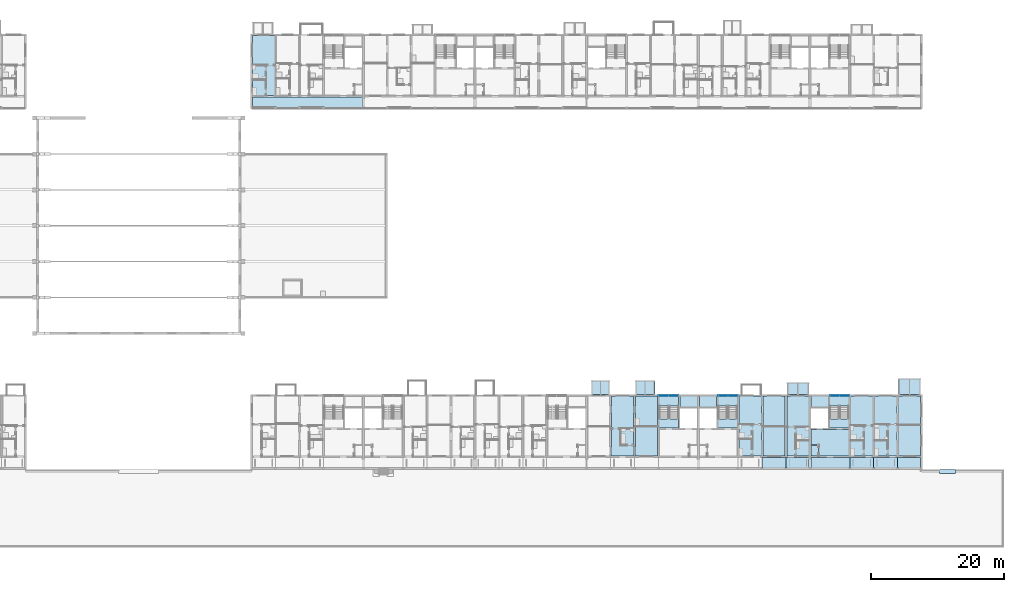
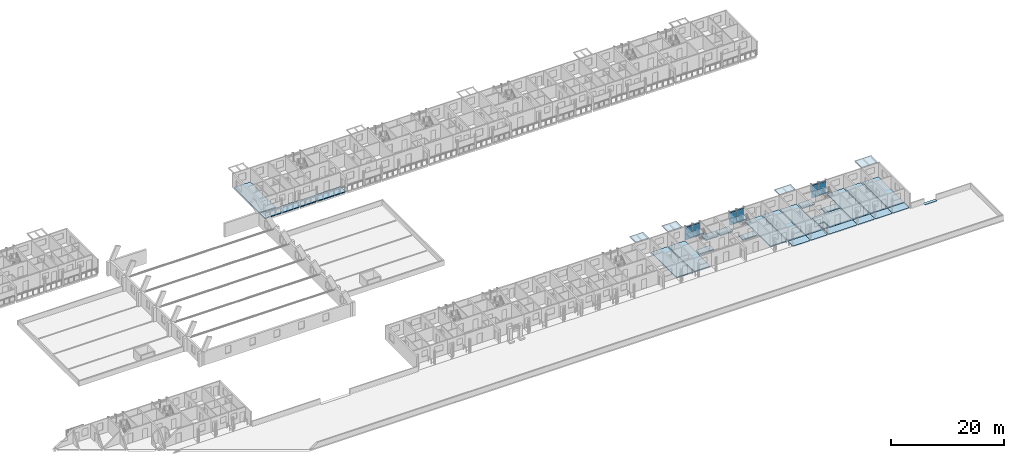
# One storey, part 37 of 115: 32 slabs, 12 plates, 6 elements without a shape of their own.
"""IFC4 building model written with IfcOpenShell, lengths in metres."""

from ifc_helpers import new_model, si_unit, direction, frame, origin, origin_2d, place, context, subcontext, project, spatial, polyline, rectangle, outline, extrude, material, layer, layer_set, type_object, element, aggregate, save


model = new_model("IFC4")

# Units and contexts
model_context = context("Model", 3, precision=1e-05, world=origin(), true_north=direction((0.0, 1.0)))
body_context = subcontext(model_context, "Body", "Model", "MODEL_VIEW")
ifc_project = project(units=[si_unit("LENGTHUNIT", "METRE"), si_unit("AREAUNIT", "SQUARE_METRE"), si_unit("VOLUMEUNIT", "CUBIC_METRE"), si_unit("PLANEANGLEUNIT", "RADIAN"), si_unit("MASSUNIT", "GRAM", prefix="KILO")], contexts=[model_context])

# Site, building, storey
site_placement = place(None, origin())
site = spatial("IfcSite", under=ifc_project, at=site_placement, CompositionType="ELEMENT")
building_placement = place(site_placement, origin())
building = spatial("IfcBuilding", under=site, at=building_placement, Name="Ridgestep Commons", CompositionType="ELEMENT")
storey_placement = place(building_placement, frame((0.0, 0.0, 6.0)))
storey = spatial("IfcBuildingStorey", under=building, at=storey_placement, Name="L02", CompositionType="ELEMENT", Elevation=6.0)

# Slabs
ifc_material_1 = material(Name="Concrete C30/37", Category="concrete")
ifc_layer_1 = layer(ifc_material_1, 0.199951171875)
ifc_layer_set_1 = layer_set([ifc_layer_1], Name="Community stair landing slab 200")
slab_type_1 = type_object("IfcSlabType", Name="Community stair landing slab 200", PredefinedType="LANDING", material=ifc_layer_set_1)
slab_1_placement = place(storey_placement, frame((0.0, 0.0, -0.199951171875)))
element("IfcSlab", 1, at=slab_1_placement, inside=storey, type_object=slab_type_1, Name="Arrival landing", PredefinedType="LANDING", context=body_context, shape_type="SweptSolid", body=[
    extrude(outline(polyline([(250.300048828125, 11.14990234375), (252.699951171875, 11.14990234375), (252.699951171875, 11.75), (250.300048828125, 11.75), (250.300048828125, 11.14990234375)])), origin(), (0.0, 0.0, 1.0), 0.199951171875),
])
ifc_material_2 = material(Name="Precast concrete C40/50", Category="concrete")
ifc_layer_2 = layer(ifc_material_2, 0.199951171875)
ifc_layer_set_2 = layer_set([ifc_layer_2], Name="Gallery slab 200")
slab_type_2 = type_object("IfcSlabType", Name="Gallery slab 200", PredefinedType="FLOOR", material=ifc_layer_set_2)
slab_2_placement = place(storey_placement, frame((0.0, 0.0, -0.199951171875)))
element("IfcSlab", 2, at=slab_2_placement, inside=storey, type_object=slab_type_2, Name="Gallery slab C1 L02", PredefinedType="FLOOR", context=body_context, shape_type="SweptSolid", body=[
    extrude(outline(polyline([(163.449951171875, 67.800048828125), (146.949951171875, 67.800048828125), (146.949951171875, 66.0), (150.27490234375, 66.0), (150.27490234375, 66.25), (150.52490234375, 66.25), (150.52490234375, 66.0), (153.875, 66.0), (153.875, 66.25), (154.125, 66.25), (154.125, 66.0), (157.47509765625, 66.0), (157.47509765625, 66.25), (157.72509765625, 66.25), (157.72509765625, 66.0), (163.449951171875, 66.0), (163.449951171875, 67.800048828125)])), origin(), (0.0, 0.0, 1.0), 0.199951171875),
])
slab_3_placement = place(storey_placement, frame((0.0, 0.0, -0.199951171875)))
element("IfcSlab", 3, at=slab_3_placement, inside=storey, type_object=slab_type_2, Name="Gallery slab D5 L02", PredefinedType="FLOOR", context=body_context, shape_type="SweptSolid", body=[
    extrude(outline(polyline([(227.199951171875, 13.550048828125), (223.60009765625, 13.550048828125), (223.60009765625, 12.0), (223.72509765625, 12.0), (223.72509765625, 11.75), (227.074951171875, 11.75), (227.074951171875, 12.0), (227.199951171875, 12.0), (227.199951171875, 13.550048828125)])), origin(), (0.0, 0.0, 1.0), 0.199951171875),
])
slab_4_placement = place(storey_placement, frame((0.0, 0.0, -0.199951171875)))
element("IfcSlab", 4, at=slab_4_placement, inside=storey, type_object=slab_type_2, Name="Gallery slab D5 L02", PredefinedType="FLOOR", context=body_context, shape_type="SweptSolid", body=[
    extrude(outline(polyline([(227.199951171875, 13.550048828125), (227.199951171875, 12.0), (227.324951171875, 12.0), (227.324951171875, 11.75), (230.64990234375, 11.75), (230.64990234375, 13.550048828125), (227.199951171875, 13.550048828125)])), origin(), (0.0, 0.0, 1.0), 0.199951171875),
])
slab_5_placement = place(storey_placement, frame((0.0, 0.0, -0.199951171875)))
element("IfcSlab", 5, at=slab_5_placement, inside=storey, type_object=slab_type_2, Name="Gallery slab D6 L02", PredefinedType="FLOOR", context=body_context, shape_type="SweptSolid", body=[
    extrude(outline(polyline([(230.949951171875, 11.75), (236.675048828125, 11.75), (236.675048828125, 12.0), (236.800048828125, 12.0), (236.800048828125, 13.550048828125), (230.949951171875, 13.550048828125), (230.949951171875, 11.75)])), origin(), (0.0, 0.0, 1.0), 0.199951171875),
])
slab_6_placement = place(storey_placement, frame((0.0, 0.0, -0.199951171875)))
element("IfcSlab", 6, at=slab_6_placement, inside=storey, type_object=slab_type_2, Name="Gallery slab D6 L02", PredefinedType="FLOOR", context=body_context, shape_type="SweptSolid", body=[
    extrude(outline(polyline([(240.39990234375, 13.550048828125), (236.800048828125, 13.550048828125), (236.800048828125, 12.0), (236.925048828125, 12.0), (236.925048828125, 11.75), (240.27490234375, 11.75), (240.27490234375, 12.0), (240.39990234375, 12.0), (240.39990234375, 13.550048828125)])), origin(), (0.0, 0.0, 1.0), 0.199951171875),
])
slab_7_placement = place(storey_placement, frame((0.0, 0.0, -0.199951171875)))
element("IfcSlab", 7, at=slab_7_placement, inside=storey, type_object=slab_type_2, Name="Gallery slab D6 L02", PredefinedType="FLOOR", context=body_context, shape_type="SweptSolid", body=[
    extrude(outline(polyline([(244.0, 13.550048828125), (240.39990234375, 13.550048828125), (240.39990234375, 12.0), (240.52490234375, 12.0), (240.52490234375, 11.75), (243.875, 11.75), (243.875, 12.0), (244.0, 12.0), (244.0, 13.550048828125)])), origin(), (0.0, 0.0, 1.0), 0.199951171875),
])
slab_8_placement = place(storey_placement, frame((0.0, 0.0, -0.199951171875)))
element("IfcSlab", 8, at=slab_8_placement, inside=storey, type_object=slab_type_2, Name="Gallery slab D6 L02", PredefinedType="FLOOR", context=body_context, shape_type="SweptSolid", body=[
    extrude(outline(polyline([(244.0, 13.550048828125), (244.0, 12.0), (244.125, 12.0), (244.125, 11.75), (247.449951171875, 11.75), (247.449951171875, 13.550048828125), (244.0, 13.550048828125)])), origin(), (0.0, 0.0, 1.0), 0.199951171875),
])

# Curtain wall, plates
ifc_material_3 = material(Name="Aluminium 6063-T6 and glass", Category="aluminium")
curtain_wall_type = type_object("IfcCurtainWallType", Name="Curtain wall stair strip", PredefinedType="NOTDEFINED", material=ifc_material_3)
curtain_wall_1_placement = place(storey_placement, origin())
curtain_wall_1 = element("IfcCurtainWall", 9, at=curtain_wall_1_placement, inside=storey, type_object=curtain_wall_type, Name="Curtain wall D4C level 02", PredefinedType="NOTDEFINED")
ifc_material_4 = material(Name="Glass laminated 6/16/6 low-emissivity", Category="glass")
ifc_layer_3 = layer(ifc_material_4, 0.028076171875)
ifc_layer_set_3 = layer_set([ifc_layer_3], Name="Glazing panel 28")
plate_type_1 = type_object("IfcPlateType", Name="Glazing panel 28", PredefinedType="CURTAIN_PANEL", material=ifc_layer_set_3)
plate_1_placement = place(storey_placement, frame((208.771240234375, 22.830078125, 0.06005859375), z_axis=(0.0, 0.0, 1.0), x_axis=(1.0, 0.0, 0.0)))
plate_1 = element("IfcPlate", 10, at=plate_1_placement, type_object=plate_type_1, Name="CW1 panel 1.1", PredefinedType="CURTAIN_PANEL", context=body_context, shape_type="SweptSolid", body=[
    extrude(rectangle(XDim=1.422607421875, YDim=0.028076171875, at=origin_2d()), origin(), (0.0, 0.0, 1.0), 2.5),
])
plate_2_placement = place(storey_placement, frame((210.253662109375, 22.830078125, 0.06005859375), z_axis=(0.0, 0.0, 1.0), x_axis=(1.0, 0.0, 0.0)))
plate_2 = element("IfcPlate", 11, at=plate_2_placement, type_object=plate_type_1, Name="CW1 panel 2.1", PredefinedType="CURTAIN_PANEL", context=body_context, shape_type="SweptSolid", body=[
    extrude(rectangle(XDim=1.422607421875, YDim=0.028076171875, at=origin_2d()), origin(), (0.0, 0.0, 1.0), 2.5),
])

curtain_wall_2_placement = place(storey_placement, origin())
curtain_wall_2 = element("IfcCurtainWall", 12, at=curtain_wall_2_placement, inside=storey, type_object=curtain_wall_type, Name="Curtain wall D5C level 02", PredefinedType="NOTDEFINED")
plate_3_placement = place(storey_placement, frame((217.746337890625, 22.830078125, 0.06005859375), z_axis=(0.0, 0.0, 1.0), x_axis=(1.0, 0.0, 0.0)))
plate_3 = element("IfcPlate", 13, at=plate_3_placement, type_object=plate_type_1, Name="CW1 panel 1.1", PredefinedType="CURTAIN_PANEL", context=body_context, shape_type="SweptSolid", body=[
    extrude(rectangle(XDim=1.422607421875, YDim=0.028076171875, at=origin_2d()), origin(), (0.0, 0.0, 1.0), 2.5),
])
plate_4_placement = place(storey_placement, frame((219.228759765625, 22.830078125, 0.06005859375), z_axis=(0.0, 0.0, 1.0), x_axis=(1.0, 0.0, 0.0)))
plate_4 = element("IfcPlate", 14, at=plate_4_placement, type_object=plate_type_1, Name="CW1 panel 2.1", PredefinedType="CURTAIN_PANEL", context=body_context, shape_type="SweptSolid", body=[
    extrude(rectangle(XDim=1.422607421875, YDim=0.028076171875, at=origin_2d()), origin(), (0.0, 0.0, 1.0), 2.5),
])

curtain_wall_3_placement = place(storey_placement, origin())
curtain_wall_3 = element("IfcCurtainWall", 15, at=curtain_wall_3_placement, inside=storey, type_object=curtain_wall_type, Name="Curtain wall D6C level 02", PredefinedType="NOTDEFINED")
plate_5_placement = place(storey_placement, frame((234.546142578125, 22.830078125, 0.06005859375), z_axis=(0.0, 0.0, 1.0), x_axis=(1.0, 0.0, 0.0)))
plate_5 = element("IfcPlate", 16, at=plate_5_placement, type_object=plate_type_1, Name="CW1 panel 1.1", PredefinedType="CURTAIN_PANEL", context=body_context, shape_type="SweptSolid", body=[
    extrude(rectangle(XDim=1.422607421875, YDim=0.028076171875, at=origin_2d()), origin(), (0.0, 0.0, 1.0), 2.5),
])
plate_6_placement = place(storey_placement, frame((236.02880859375, 22.830078125, 0.06005859375), z_axis=(0.0, 0.0, 1.0), x_axis=(1.0, 0.0, 0.0)))
plate_6 = element("IfcPlate", 17, at=plate_6_placement, type_object=plate_type_1, Name="CW1 panel 2.1", PredefinedType="CURTAIN_PANEL", context=body_context, shape_type="SweptSolid", body=[
    extrude(rectangle(XDim=1.422607421875, YDim=0.028076171875, at=origin_2d()), origin(), (0.0, 0.0, 1.0), 2.5),
])

# Slabs
ifc_material_5 = material(Name="Precast concrete C50/60", Category="concrete")
ifc_layer_4 = layer(ifc_material_5, 0.199951171875)
ifc_layer_set_4 = layer_set([ifc_layer_4], Name="Hollow-core plank 200")
slab_type_3 = type_object("IfcSlabType", Name="Hollow-core plank 200", PredefinedType="FLOOR", material=ifc_layer_set_4)
slab_9_placement = place(storey_placement, frame((0.0, 0.0, -0.199951171875)))
element("IfcSlab", 18, at=slab_9_placement, inside=storey, type_object=slab_type_3, Name="Floor plank C1T1 L02", PredefinedType="FLOOR", context=body_context, shape_type="SweptSolid", body=[
    extrude(outline(polyline([(150.300048828125, 68.0), (150.300048828125, 77.0), (146.949951171875, 77.0), (146.949951171875, 68.0), (150.300048828125, 68.0)])), origin(), (0.0, 0.0, 1.0), 0.199951171875),
])
slab_10_placement = place(storey_placement, frame((0.0, 0.0, -0.199951171875)))
element("IfcSlab", 19, at=slab_10_placement, inside=storey, type_object=slab_type_3, Name="Floor plank D4T2 L02", PredefinedType="FLOOR", context=body_context, shape_type="SweptSolid", body=[
    extrude(outline(polyline([(204.27490234375, 13.75), (204.27490234375, 22.75), (200.925048828125, 22.75), (200.925048828125, 13.75), (204.27490234375, 13.75)])), origin(), (0.0, 0.0, 1.0), 0.199951171875),
])
slab_11_placement = place(storey_placement, frame((0.0, 0.0, -0.199951171875)))
element("IfcSlab", 20, at=slab_11_placement, inside=storey, type_object=slab_type_3, Name="Floor plank D4T3 L02", PredefinedType="FLOOR", context=body_context, shape_type="SweptSolid", body=[
    extrude(outline(polyline([(207.875, 13.75), (207.875, 22.75), (204.52490234375, 22.75), (204.52490234375, 13.75), (207.875, 13.75)])), origin(), (0.0, 0.0, 1.0), 0.199951171875),
])
slab_12_placement = place(storey_placement, frame((0.0, 0.0, -0.199951171875)))
element("IfcSlab", 21, at=slab_12_placement, inside=storey, type_object=slab_type_3, Name="Floor plank D5T3 L02", PredefinedType="FLOOR", context=body_context, shape_type="SweptSolid", body=[
    extrude(outline(polyline([(223.47509765625, 13.75), (223.47509765625, 22.75), (220.125, 22.75), (220.125, 13.75), (223.47509765625, 13.75)])), origin(), (0.0, 0.0, 1.0), 0.199951171875),
])
slab_13_placement = place(storey_placement, frame((0.0, 0.0, -0.199951171875)))
element("IfcSlab", 22, at=slab_13_placement, inside=storey, type_object=slab_type_3, Name="Floor plank D5T2 L02", PredefinedType="FLOOR", context=body_context, shape_type="SweptSolid", body=[
    extrude(outline(polyline([(227.074951171875, 13.75), (227.074951171875, 22.75), (223.72509765625, 22.75), (223.72509765625, 13.75), (227.074951171875, 13.75)])), origin(), (0.0, 0.0, 1.0), 0.199951171875),
])
slab_14_placement = place(storey_placement, frame((0.0, 0.0, -0.199951171875)))
element("IfcSlab", 23, at=slab_14_placement, inside=storey, type_object=slab_type_3, Name="Floor plank D5T1 L02", PredefinedType="FLOOR", context=body_context, shape_type="SweptSolid", body=[
    extrude(outline(polyline([(230.64990234375, 13.75), (230.64990234375, 22.75), (227.324951171875, 22.75), (227.324951171875, 13.75), (230.64990234375, 13.75)])), origin(), (0.0, 0.0, 1.0), 0.199951171875),
])
slab_15_placement = place(storey_placement, frame((0.0, 0.0, -0.199951171875)))
element("IfcSlab", 24, at=slab_15_placement, inside=storey, type_object=slab_type_3, Name="Floor plank D6T3 L02", PredefinedType="FLOOR", context=body_context, shape_type="SweptSolid", body=[
    extrude(outline(polyline([(240.27490234375, 13.75), (240.27490234375, 22.75), (236.925048828125, 22.75), (236.925048828125, 13.75), (240.27490234375, 13.75)])), origin(), (0.0, 0.0, 1.0), 0.199951171875),
])
slab_16_placement = place(storey_placement, frame((0.0, 0.0, -0.199951171875)))
element("IfcSlab", 25, at=slab_16_placement, inside=storey, type_object=slab_type_3, Name="Floor plank D6T2 L02", PredefinedType="FLOOR", context=body_context, shape_type="SweptSolid", body=[
    extrude(outline(polyline([(243.875, 13.75), (243.875, 22.75), (240.52490234375, 22.75), (240.52490234375, 13.75), (243.875, 13.75)])), origin(), (0.0, 0.0, 1.0), 0.199951171875),
])
slab_17_placement = place(storey_placement, frame((0.0, 0.0, -0.199951171875)))
element("IfcSlab", 26, at=slab_17_placement, inside=storey, type_object=slab_type_3, Name="Floor plank D6T1 L02", PredefinedType="FLOOR", context=body_context, shape_type="SweptSolid", body=[
    extrude(outline(polyline([(247.449951171875, 13.75), (247.449951171875, 22.75), (244.125, 22.75), (244.125, 13.75), (247.449951171875, 13.75)])), origin(), (0.0, 0.0, 1.0), 0.199951171875),
])
ifc_material_6 = material(Name="Precast concrete C50/60", Category="concrete")
ifc_layer_5 = layer(ifc_material_6, 0.25)
ifc_layer_set_5 = layer_set([ifc_layer_5], Name="Hollow-core plank 250")
slab_type_4 = type_object("IfcSlabType", Name="Hollow-core plank 250", PredefinedType="FLOOR", material=ifc_layer_set_5)
slab_18_placement = place(storey_placement, frame((0.0, 0.0, -0.25)))
element("IfcSlab", 27, at=slab_18_placement, inside=storey, type_object=slab_type_4, Name="Floor plank D4C L02", PredefinedType="FLOOR", context=body_context, shape_type="SweptSolid", body=[
    extrude(outline(polyline([(213.85009765625, 21.14990234375), (213.85009765625, 22.75), (211.22509765625, 22.75), (211.22509765625, 21.14990234375), (213.85009765625, 21.14990234375)])), origin(), (0.0, 0.0, 1.0), 0.25),
])
slab_19_placement = place(storey_placement, frame((0.0, 0.0, -0.25)))
element("IfcSlab", 28, at=slab_19_placement, inside=storey, type_object=slab_type_4, Name="Floor plank D4C L02", PredefinedType="FLOOR", context=body_context, shape_type="SweptSolid", body=[
    extrude(outline(polyline([(211.02490234375, 17.949951171875), (211.02490234375, 19.35009765625), (208.125, 19.35009765625), (208.125, 17.949951171875), (211.02490234375, 17.949951171875)])), origin(), (0.0, 0.0, 1.0), 0.25),
])
slab_20_placement = place(storey_placement, frame((0.0, 0.0, -0.25)))
element("IfcSlab", 29, at=slab_20_placement, inside=storey, type_object=slab_type_4, Name="Floor plank D5C L02", PredefinedType="FLOOR", context=body_context, shape_type="SweptSolid", body=[
    extrude(outline(polyline([(216.77490234375, 22.75), (214.14990234375, 22.75), (214.14990234375, 21.14990234375), (216.77490234375, 21.14990234375), (216.77490234375, 22.75)])), origin(), (0.0, 0.0, 1.0), 0.25),
])
slab_21_placement = place(storey_placement, frame((0.0, 0.0, -0.25)))
element("IfcSlab", 30, at=slab_21_placement, inside=storey, type_object=slab_type_4, Name="Floor plank D5C L02", PredefinedType="FLOOR", context=body_context, shape_type="SweptSolid", body=[
    extrude(outline(polyline([(219.875, 17.949951171875), (219.875, 19.35009765625), (216.97509765625, 19.35009765625), (216.97509765625, 17.949951171875), (219.875, 17.949951171875)])), origin(), (0.0, 0.0, 1.0), 0.25),
])
slab_22_placement = place(storey_placement, frame((0.0, 0.0, -0.25)))
element("IfcSlab", 31, at=slab_22_placement, inside=storey, type_object=slab_type_4, Name="Floor plank D6C L02", PredefinedType="FLOOR", context=body_context, shape_type="SweptSolid", body=[
    extrude(outline(polyline([(232.199951171875, 13.75), (236.675048828125, 13.75), (236.675048828125, 17.75), (230.949951171875, 17.75), (230.949951171875, 15.469970703125), (232.080078125, 15.469970703125), (232.199951171875, 15.469970703125), (232.199951171875, 13.75)])), origin(), (0.0, 0.0, 1.0), 0.25),
])
slab_23_placement = place(storey_placement, frame((0.0, 0.0, -0.25)))
element("IfcSlab", 32, at=slab_23_placement, inside=storey, type_object=slab_type_4, Name="Floor plank D6C L02", PredefinedType="FLOOR", context=body_context, shape_type="SweptSolid", body=[
    extrude(outline(polyline([(233.574951171875, 22.75), (230.949951171875, 22.75), (230.949951171875, 21.14990234375), (233.574951171875, 21.14990234375), (233.574951171875, 22.75)])), origin(), (0.0, 0.0, 1.0), 0.25),
])
slab_24_placement = place(storey_placement, frame((0.0, 0.0, -0.25)))
element("IfcSlab", 33, at=slab_24_placement, inside=storey, type_object=slab_type_4, Name="Floor plank D6C L02", PredefinedType="FLOOR", context=body_context, shape_type="SweptSolid", body=[
    extrude(outline(polyline([(236.675048828125, 17.949951171875), (236.675048828125, 19.35009765625), (233.77490234375, 19.35009765625), (233.77490234375, 17.949951171875), (236.675048828125, 17.949951171875)])), origin(), (0.0, 0.0, 1.0), 0.25),
])
slab_25_placement = place(storey_placement, frame((0.0, 0.0, -0.25)))
element("IfcSlab", 34, at=slab_25_placement, inside=storey, type_object=slab_type_4, Name="Floor plank D6C L02", PredefinedType="FLOOR", context=body_context, shape_type="SweptSolid", body=[
    extrude(outline(polyline([(232.080078125, 15.35009765625), (230.949951171875, 15.35009765625), (230.949951171875, 13.75), (232.080078125, 13.75), (232.080078125, 15.35009765625)])), origin(), (0.0, 0.0, 1.0), 0.25),
])

# Plate
ifc_material_7 = material(Name="Aluminium 6063-T6 and mineral wool", Category="aluminium")
ifc_layer_6 = layer(ifc_material_7, 0.0400390625)
ifc_layer_set_6 = layer_set([ifc_layer_6], Name="Spandrel panel 40")
plate_type_2 = type_object("IfcPlateType", Name="Spandrel panel 40", PredefinedType="CURTAIN_PANEL", material=ifc_layer_set_6)
plate_7_placement = place(storey_placement, frame((208.771240234375, 22.830078125, 2.6201171875), z_axis=(0.0, 0.0, 1.0), x_axis=(1.0, 0.0, 0.0)))
plate_7 = element("IfcPlate", 35, at=plate_7_placement, type_object=plate_type_2, Name="CW1 panel 1.2", PredefinedType="CURTAIN_PANEL", context=body_context, shape_type="SweptSolid", body=[
    extrude(rectangle(XDim=1.422607421875, YDim=0.0400390625, at=origin_2d()), origin(), (0.0, 0.0, 1.0), 0.320068359375),
])

plate_8_placement = place(storey_placement, frame((210.253662109375, 22.830078125, 2.6201171875), z_axis=(0.0, 0.0, 1.0), x_axis=(1.0, 0.0, 0.0)))
plate_8 = element("IfcPlate", 36, at=plate_8_placement, type_object=plate_type_2, Name="CW1 panel 2.2", PredefinedType="CURTAIN_PANEL", context=body_context, shape_type="SweptSolid", body=[
    extrude(rectangle(XDim=1.422607421875, YDim=0.0400390625, at=origin_2d()), origin(), (0.0, 0.0, 1.0), 0.320068359375),
])

aggregate(curtain_wall_1, [plate_1, plate_7, plate_2, plate_8])

plate_9_placement = place(storey_placement, frame((217.746337890625, 22.830078125, 2.6201171875), z_axis=(0.0, 0.0, 1.0), x_axis=(1.0, 0.0, 0.0)))
plate_9 = element("IfcPlate", 37, at=plate_9_placement, type_object=plate_type_2, Name="CW1 panel 1.2", PredefinedType="CURTAIN_PANEL", context=body_context, shape_type="SweptSolid", body=[
    extrude(rectangle(XDim=1.422607421875, YDim=0.0400390625, at=origin_2d()), origin(), (0.0, 0.0, 1.0), 0.320068359375),
])

plate_10_placement = place(storey_placement, frame((219.228759765625, 22.830078125, 2.6201171875), z_axis=(0.0, 0.0, 1.0), x_axis=(1.0, 0.0, 0.0)))
plate_10 = element("IfcPlate", 38, at=plate_10_placement, type_object=plate_type_2, Name="CW1 panel 2.2", PredefinedType="CURTAIN_PANEL", context=body_context, shape_type="SweptSolid", body=[
    extrude(rectangle(XDim=1.422607421875, YDim=0.0400390625, at=origin_2d()), origin(), (0.0, 0.0, 1.0), 0.320068359375),
])

aggregate(curtain_wall_2, [plate_3, plate_9, plate_4, plate_10])

plate_11_placement = place(storey_placement, frame((234.546142578125, 22.830078125, 2.6201171875), z_axis=(0.0, 0.0, 1.0), x_axis=(1.0, 0.0, 0.0)))
plate_11 = element("IfcPlate", 39, at=plate_11_placement, type_object=plate_type_2, Name="CW1 panel 1.2", PredefinedType="CURTAIN_PANEL", context=body_context, shape_type="SweptSolid", body=[
    extrude(rectangle(XDim=1.422607421875, YDim=0.0400390625, at=origin_2d()), origin(), (0.0, 0.0, 1.0), 0.320068359375),
])

plate_12_placement = place(storey_placement, frame((236.02880859375, 22.830078125, 2.6201171875), z_axis=(0.0, 0.0, 1.0), x_axis=(1.0, 0.0, 0.0)))
plate_12 = element("IfcPlate", 40, at=plate_12_placement, type_object=plate_type_2, Name="CW1 panel 2.2", PredefinedType="CURTAIN_PANEL", context=body_context, shape_type="SweptSolid", body=[
    extrude(rectangle(XDim=1.422607421875, YDim=0.0400390625, at=origin_2d()), origin(), (0.0, 0.0, 1.0), 0.320068359375),
])

aggregate(curtain_wall_3, [plate_5, plate_11, plate_6, plate_12])

# Stair, slab
ifc_material_8 = material(Name="Precast concrete C40/50", Category="concrete")
stair_type = type_object("IfcStairType", Name="Escape stair 1400", PredefinedType="HALF_TURN_STAIR", material=ifc_material_8)
stair_1_placement = place(storey_placement, origin())
stair_1 = element("IfcStair", 41, at=stair_1_placement, inside=storey, type_object=stair_type, Name="L02 Escape stair D4C", PredefinedType="HALF_TURN_STAIR")
ifc_material_9 = material(Name="Precast concrete C40/50", Category="concrete")
ifc_layer_7 = layer(ifc_material_9, 0.199951171875)
ifc_layer_set_7 = layer_set([ifc_layer_7], Name="Stair landing 200")
slab_type_5 = type_object("IfcSlabType", Name="Stair landing 200", PredefinedType="LANDING", material=ifc_layer_set_7)
slab_26_placement = place(storey_placement, frame((0.0, 0.0, 1.300048828125)))
slab_26 = element("IfcSlab", 42, at=slab_26_placement, type_object=slab_type_5, Name="D4C landing 1", PredefinedType="LANDING", context=body_context, shape_type="SweptSolid", body=[
    extrude(outline(polyline([(211.02490234375, 21.31005859375), (211.02490234375, 22.75), (208.125, 22.75), (208.125, 21.31005859375), (211.02490234375, 21.31005859375)])), origin(), (0.0, 0.0, 1.0), 0.199951171875),
])
aggregate(stair_1, [slab_26])

stair_2_placement = place(storey_placement, origin())
stair_2 = element("IfcStair", 43, at=stair_2_placement, inside=storey, type_object=stair_type, Name="L02 Escape stair D5C", PredefinedType="HALF_TURN_STAIR")
slab_27_placement = place(storey_placement, frame((0.0, 0.0, 1.300048828125)))
slab_27 = element("IfcSlab", 44, at=slab_27_placement, type_object=slab_type_5, Name="D5C landing 1", PredefinedType="LANDING", context=body_context, shape_type="SweptSolid", body=[
    extrude(outline(polyline([(219.875, 21.31005859375), (219.875, 22.75), (216.97509765625, 22.75), (216.97509765625, 21.31005859375), (219.875, 21.31005859375)])), origin(), (0.0, 0.0, 1.0), 0.199951171875),
])
aggregate(stair_2, [slab_27])

stair_3_placement = place(storey_placement, origin())
stair_3 = element("IfcStair", 45, at=stair_3_placement, inside=storey, type_object=stair_type, Name="L02 Escape stair D6C", PredefinedType="HALF_TURN_STAIR")
slab_28_placement = place(storey_placement, frame((0.0, 0.0, 1.300048828125)))
slab_28 = element("IfcSlab", 46, at=slab_28_placement, type_object=slab_type_5, Name="D6C landing 1", PredefinedType="LANDING", context=body_context, shape_type="SweptSolid", body=[
    extrude(outline(polyline([(236.675048828125, 21.31005859375), (236.675048828125, 22.75), (233.77490234375, 22.75), (233.77490234375, 21.31005859375), (236.675048828125, 21.31005859375)])), origin(), (0.0, 0.0, 1.0), 0.199951171875),
])
aggregate(stair_3, [slab_28])

# Slabs
ifc_material_10 = material(Name="Weathering steel S355J2W", Category="steel")
ifc_layer_8 = layer(ifc_material_10, 0.010009765625)
ifc_layer_set_8 = layer_set([ifc_layer_8], Name="Tray 2.8 x 2.1")
slab_type_6 = type_object("IfcSlabType", Name="Tray 2.8 x 2.1", PredefinedType="FLOOR", material=ifc_layer_set_8)
slab_29_placement = place(storey_placement, frame((0.0, 0.0, 2.989990234375)))
element("IfcSlab", 47, at=slab_29_placement, inside=storey, type_object=slab_type_6, Name="Tray deck D4T1-03", PredefinedType="FLOOR", context=body_context, shape_type="SweptSolid", body=[
    extrude(outline(polyline([(197.929931640625, 23.0), (200.669921875, 23.0), (200.669921875, 25.10009765625), (197.929931640625, 25.10009765625), (197.929931640625, 23.0)])), origin(), (0.0, 0.0, 1.0), 0.010009765625),
])
ifc_material_11 = material(Name="Weathering steel S355J2W", Category="steel")
ifc_layer_9 = layer(ifc_material_11, 0.010009765625)
ifc_layer_set_9 = layer_set([ifc_layer_9], Name="Tray 3.0 x 2.1")
slab_type_7 = type_object("IfcSlabType", Name="Tray 3.0 x 2.1", PredefinedType="FLOOR", material=ifc_layer_set_9)
slab_30_placement = place(storey_placement, frame((0.0, 0.0, 2.989990234375)))
element("IfcSlab", 48, at=slab_30_placement, inside=storey, type_object=slab_type_7, Name="Tray deck D4T3-03", PredefinedType="FLOOR", context=body_context, shape_type="SweptSolid", body=[
    extrude(outline(polyline([(204.530029296875, 23.0), (207.469970703125, 23.0), (207.469970703125, 25.10009765625), (204.530029296875, 25.10009765625), (204.530029296875, 23.0)])), origin(), (0.0, 0.0, 1.0), 0.010009765625),
])
ifc_material_12 = material(Name="Weathering steel S355J2W", Category="steel")
ifc_layer_10 = layer(ifc_material_12, 0.010009765625)
ifc_layer_set_10 = layer_set([ifc_layer_10], Name="Tray 3.4 x 1.8")
slab_type_8 = type_object("IfcSlabType", Name="Tray 3.4 x 1.8", PredefinedType="FLOOR", material=ifc_layer_set_10)
slab_31_placement = place(storey_placement, frame((0.0, 0.0, 2.989990234375)))
element("IfcSlab", 49, at=slab_31_placement, inside=storey, type_object=slab_type_8, Name="Tray deck D5T1-03", PredefinedType="FLOOR", context=body_context, shape_type="SweptSolid", body=[
    extrude(outline(polyline([(227.330078125, 23.0), (230.669921875, 23.0), (230.669921875, 24.800048828125), (227.330078125, 24.800048828125), (227.330078125, 23.0)])), origin(), (0.0, 0.0, 1.0), 0.010009765625),
])
ifc_material_13 = material(Name="Weathering steel S355J2W", Category="steel")
ifc_layer_11 = layer(ifc_material_13, 0.010009765625)
ifc_layer_set_11 = layer_set([ifc_layer_11], Name="Tray 3.4 x 2.4")
slab_type_9 = type_object("IfcSlabType", Name="Tray 3.4 x 2.4", PredefinedType="FLOOR", material=ifc_layer_set_11)
slab_32_placement = place(storey_placement, frame((0.0, 0.0, 2.989990234375)))
element("IfcSlab", 50, at=slab_32_placement, inside=storey, type_object=slab_type_9, Name="Tray deck D6T1-03", PredefinedType="FLOOR", context=body_context, shape_type="SweptSolid", body=[
    extrude(outline(polyline([(244.1298828125, 23.0), (247.469970703125, 23.0), (247.469970703125, 25.39990234375), (244.1298828125, 25.39990234375), (244.1298828125, 23.0)])), origin(), (0.0, 0.0, 1.0), 0.010009765625),
])

save(model, "model.ifc")
